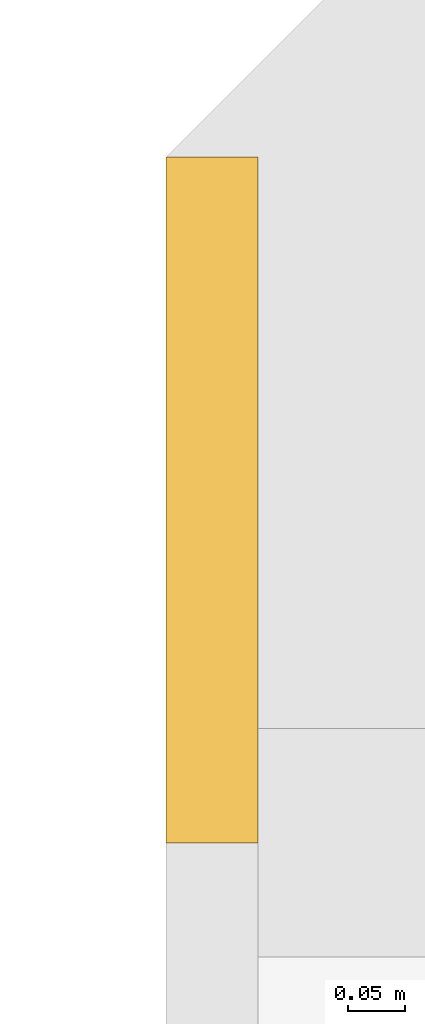
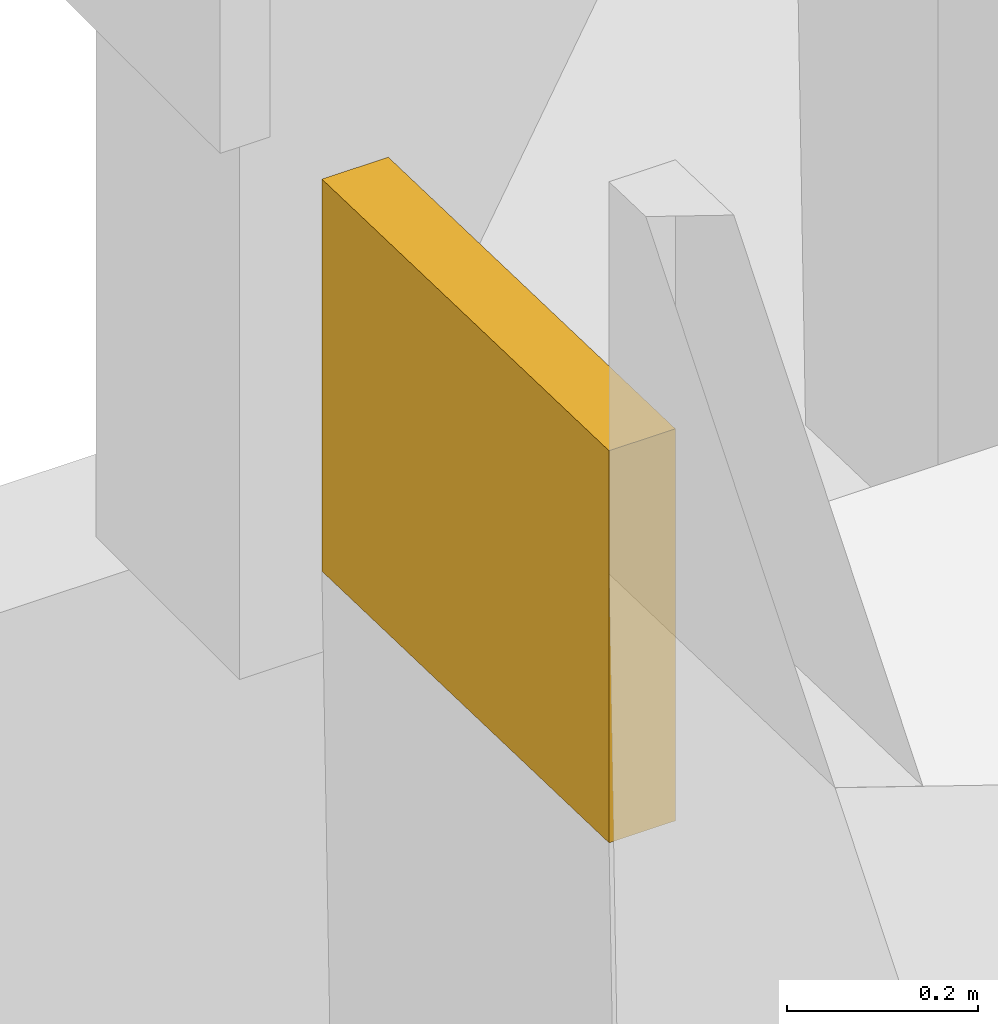
# One storey, part 28 of 29: 1 covering.
"""IFC4 building model written with IfcOpenShell, lengths in metres."""

from ifc_helpers import new_model, si_unit, direction, frame, origin, place, context, subcontext, project, spatial, polyline, outline, extrude, material, layer, layer_set, type_object, element, save


model = new_model("IFC4")

# Units and contexts
model_context = context("Model", 3, precision=1e-05, world=origin(), true_north=direction((0.0, 1.0)))
body_context = subcontext(model_context, "Body", "Model", "MODEL_VIEW")
ifc_project = project(units=[si_unit("LENGTHUNIT", "METRE"), si_unit("AREAUNIT", "SQUARE_METRE"), si_unit("VOLUMEUNIT", "CUBIC_METRE"), si_unit("PLANEANGLEUNIT", "RADIAN"), si_unit("MASSUNIT", "GRAM", prefix="KILO")], contexts=[model_context])

# Site, building, storey
site_placement = place(None, origin())
site = spatial("IfcSite", under=ifc_project, at=site_placement, CompositionType="ELEMENT")
building_placement = place(site_placement, origin())
building = spatial("IfcBuilding", under=site, at=building_placement, Name="Saffron Gate Tower", CompositionType="ELEMENT")
storey_placement = place(building_placement, frame((0.0, 0.0, 227.10009765625)))
storey = spatial("IfcBuildingStorey", under=building, at=storey_placement, Name="L55", CompositionType="ELEMENT", Elevation=227.10009765625)

# Covering
ifc_material = material(Name="Timber, thermally modified ash", Category="wood")
ifc_layer = layer(ifc_material, 0.080078125)
ifc_layer_set = layer_set([ifc_layer], Name="LD2 ledge planter trough")
covering_type = type_object("IfcCoveringType", Name="LD2 ledge planter trough", PredefinedType="CLADDING", material=ifc_layer_set)
covering_placement = place(storey_placement, frame((50.39990234375, 32.39990234375, 0.0595703125), z_axis=(-1.0, 0.0, 0.0), x_axis=(0.0, -0.999582742162, 0.028884971385)))
element("IfcCovering", 1, at=covering_placement, inside=storey, type_object=covering_type, Name="LEDGE planter trough", PredefinedType="CLADDING", context=body_context, shape_type="SweptSolid", body=[
    extrude(outline(polyline([(0.0, 0.0), (0.6001039136866089, 0.0), (0.614546399379222, 0.4997913710809928), (0.014442485692613144, 0.49979137108099286), (0.0, 0.0)])), origin(), (0.0, 0.0, -1.0), 0.080078125),
])

save(model, "model.ifc")
